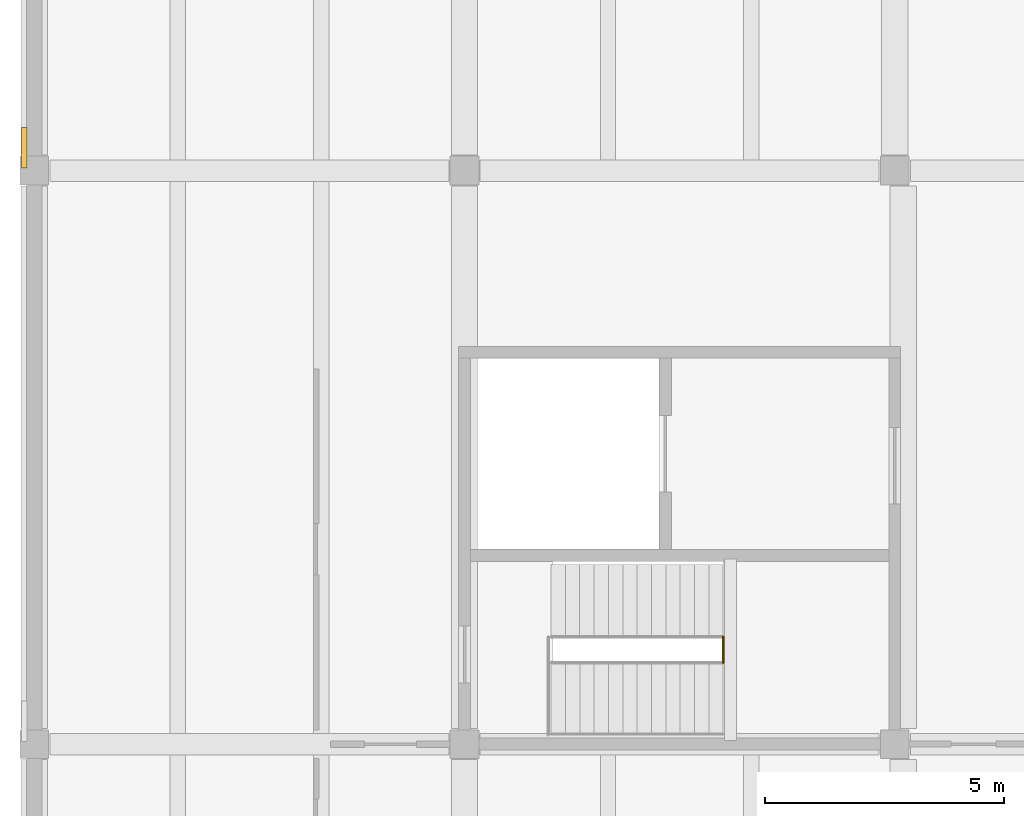
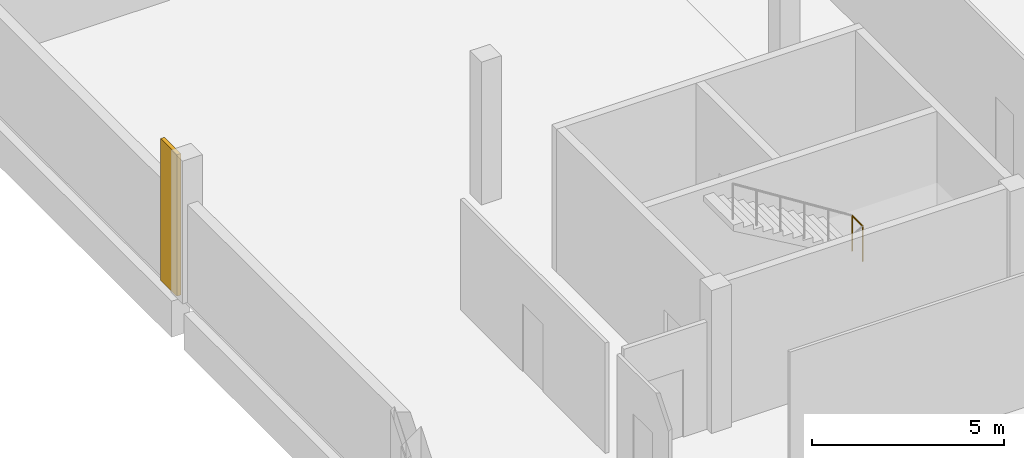
# One storey, part 54 of 63: 1 covering, 1 railing.
"""IFC4 building model written with IfcOpenShell, lengths in metres."""

from ifc_helpers import new_model, si_unit, direction, frame, origin, origin_2d, place, context, subcontext, project, spatial, rectangle, circle, extrude, material, layer, layer_set, type_object, element, save


model = new_model("IFC4")

# Units and contexts
model_context = context("Model", 3, precision=1e-05, world=origin(), true_north=direction((0.0, 1.0)))
body_context = subcontext(model_context, "Body", "Model", "MODEL_VIEW")
ifc_project = project(units=[si_unit("LENGTHUNIT", "METRE"), si_unit("AREAUNIT", "SQUARE_METRE"), si_unit("VOLUMEUNIT", "CUBIC_METRE"), si_unit("PLANEANGLEUNIT", "RADIAN"), si_unit("MASSUNIT", "GRAM", prefix="KILO")], contexts=[model_context])

# Site, building, storey
site_placement = place(None, origin())
site = spatial("IfcSite", under=ifc_project, at=site_placement, CompositionType="ELEMENT")
building_placement = place(site_placement, origin())
building = spatial("IfcBuilding", under=site, at=building_placement, Name="Zacnel Wholesale Market", CompositionType="ELEMENT")
storey_placement = place(building_placement, frame((0.0, 0.0, 11.199951171875)))
storey = spatial("IfcBuildingStorey", under=building, at=storey_placement, Name="L03", CompositionType="ELEMENT", Elevation=11.199951171875)

# Covering
ifc_material_1 = material(Name="Honed Yucatan Maya cream limestone", Category="masonry")
ifc_layer = layer(ifc_material_1, 0.090087890625)
ifc_layer_set = layer_set([ifc_layer], Name="Honed Yucatan Maya cream limestone")
covering_type = type_object("IfcCoveringType", Name="COV-CLAD-FRET", PredefinedType="CLADDING", material=ifc_layer_set)
covering_placement = place(storey_placement, frame((17.7900390625, 120.47998046875, 0.02001953125), z_axis=(0.0, 0.0, 1.0), x_axis=(0.0, 1.0, 0.0)))
element("IfcCovering", 1, at=covering_placement, inside=storey, type_object=covering_type, Name="Fluted Mayan-Deco limestone pilaster L03-0184", PredefinedType="CLADDING", context=body_context, shape_type="SweptSolid", body=[
    extrude(rectangle(XDim=0.85009765625, YDim=0.1201171875, at=origin_2d()), origin(), (0.0, 0.0, 1.0), 4.510009765625),
])

# Railing
ifc_material_2 = material(Name="Galvanized steel", Category="steel")
railing_type = type_object("IfcRailingType", Name="RAL-STAIR-GD1150", PredefinedType="BALUSTRADE", material=ifc_material_2)
railing_placement = place(storey_placement, frame((32.409912109375, 109.699951171875, 2.275146484375)))
element("IfcRailing", 2, at=railing_placement, inside=storey, type_object=railing_type, Name="Stair balustrade INT-STAIR-ST-30-GDIN-2", PredefinedType="BALUSTRADE", context=body_context, shape_type="SweptSolid", body=[
    extrude(circle(Radius=0.02392578125, at=origin_2d()), frame((0.0, 0.0, 1.1259765625), z_axis=(0.0, 1.0, 0.0), x_axis=(-1.0, 0.0, 0.0)), (0.0, 0.0, 1.0), 0.550048828125),
    extrude(circle(Radius=0.02099609375, at=origin_2d()), origin(), (0.0, 0.0, 1.0), 1.101806640625),
    extrude(circle(Radius=0.02099609375, at=origin_2d()), frame((0.0, 0.550048828125, 0.0)), (0.0, 0.0, 1.0), 1.101806640625),
])

save(model, "model.ifc")
